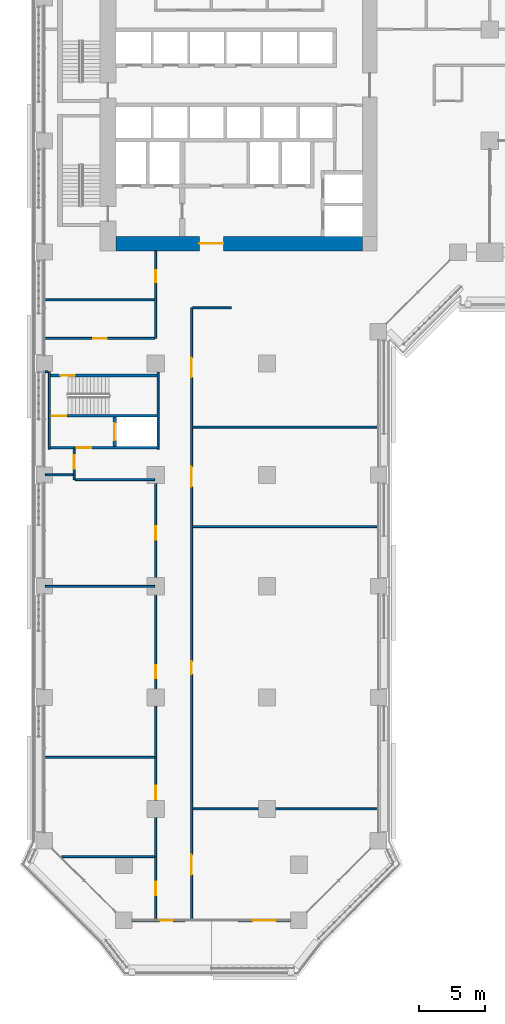
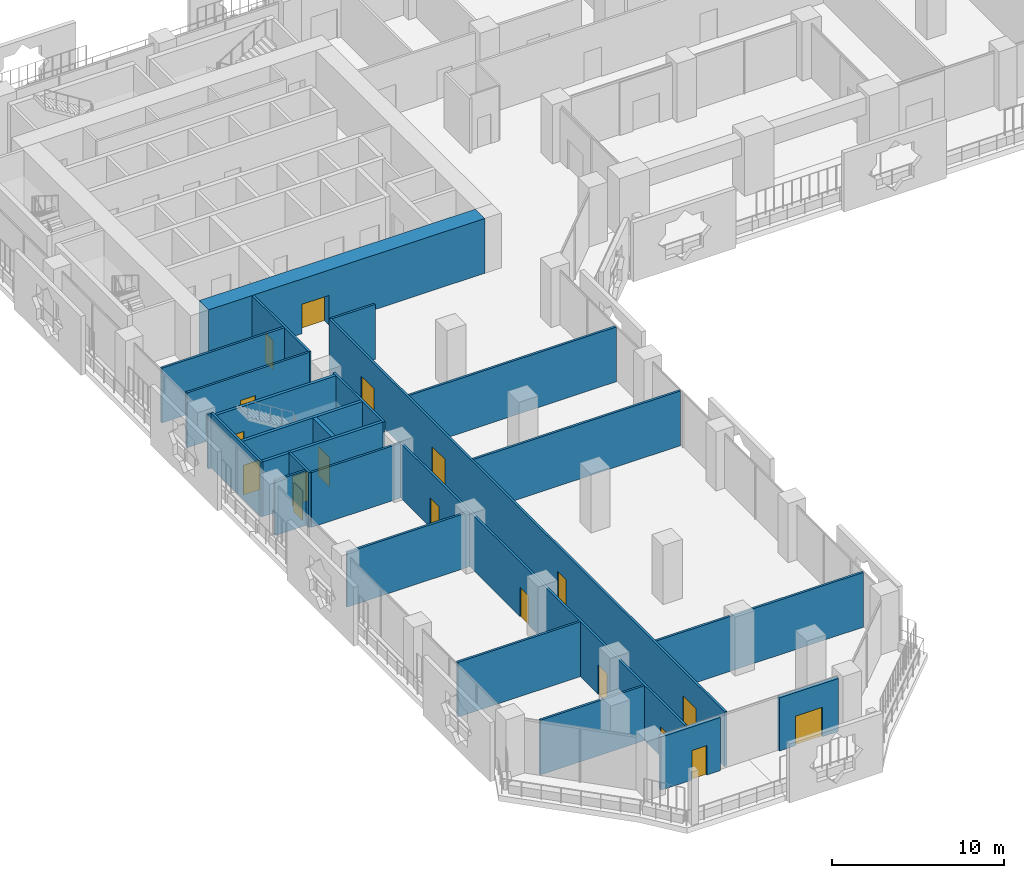
# One storey, part 13 of 27: 25 walls, 18 doors, 18 openings.
"""IFC4 building model written with IfcOpenShell, lengths in metres."""

from ifc_helpers import new_model, si_unit, direction, frame, frame_2d, origin, place, context, subcontext, project, spatial, rectangle, extrude, material, layer, layer_set, type_object, element, fill, save


model = new_model("IFC4")

# Units and contexts
model_context = context("Model", 3, precision=1e-05, world=origin(), true_north=direction((0.0, 1.0)))
body_context = subcontext(model_context, "Body", "Model", "MODEL_VIEW")
ifc_project = project(units=[si_unit("LENGTHUNIT", "METRE"), si_unit("AREAUNIT", "SQUARE_METRE"), si_unit("VOLUMEUNIT", "CUBIC_METRE"), si_unit("PLANEANGLEUNIT", "RADIAN"), si_unit("MASSUNIT", "GRAM", prefix="KILO")], contexts=[model_context])

# Site, building, storey
site_placement = place(None, origin())
site = spatial("IfcSite", under=ifc_project, at=site_placement, CompositionType="ELEMENT")
building_placement = place(site_placement, origin())
building = spatial("IfcBuilding", under=site, at=building_placement, Name="Kawkab Arch Medical Tower", CompositionType="ELEMENT")
storey_placement = place(building_placement, frame((0.0, 0.0, 39.199951171875)))
storey = spatial("IfcBuildingStorey", under=building, at=storey_placement, Name="L08", CompositionType="ELEMENT", Elevation=39.199951171875)

# Wall, opening, door
ifc_material_1 = material(Name="Concrete C60/75", Category="concrete")
ifc_layer_1 = layer(ifc_material_1, 1.10009765625)
ifc_layer_set_1 = layer_set([ifc_layer_1], Name="Concrete C60/75")
wall_type_1 = type_object("IfcWallType", Name="Core ring wall 1100 C60/75", PredefinedType="SHEAR", material=ifc_layer_set_1)
wall_1_placement = place(storey_placement, frame((5.39990234375, -24.550048828125, 0.0), z_axis=(0.0, 0.0, 1.0), x_axis=(1.0, 0.0, 0.0)))
wall_1 = element("IfcWall", 1, at=wall_1_placement, inside=storey, type_object=wall_type_1, Name="L08 core wall", PredefinedType="SHEAR", context=body_context, shape_type="SweptSolid", body=[
    extrude(rectangle(XDim=18.60009765625, YDim=1.10009765625, at=frame_2d((9.300048828125, 0.0))), origin(), (0.0, 0.0, 1.0), 3.900146484375),
])
opening_1_placement = place(wall_1_placement, frame((6.300048828125, 0.0, 0.0)))
opening_1 = element("IfcOpeningElement", 2, at=opening_1_placement, cuts=wall_1, Name="Opening PD", PredefinedType="OPENING", context=body_context, shape_type="SweptSolid", body=[
    extrude(rectangle(XDim=1.800048828125, YDim=2.10009765625, at=frame_2d((0.89990234375, 1.050048828125))), frame((0.0, 0.56005859375, 0.0), z_axis=(0.0, -1.0, 0.0), x_axis=(1.0, 0.0, 0.0)), (0.0, 0.0, 1.0), 1.1201171875),
])
ifc_material_2 = material(Name="Hollow metal fire door leaf")
door_type_1 = type_object("IfcDoorType", Name="Core entrance doors 1800", OperationType="DOUBLE_DOOR_SINGLE_SWING", PredefinedType="DOOR", material=ifc_material_2)
door_1_placement = place(opening_1_placement, origin())
door_1 = element("IfcDoor", 3, at=door_1_placement, inside=storey, type_object=door_type_1, Name="L08 South entrance doors", OperationType="DOUBLE_DOOR_SINGLE_SWING", OverallHeight=2.10009765625, OverallWidth=1.800048828125, PredefinedType="DOOR", context=body_context, shape_type="SweptSolid", body=[
    extrude(rectangle(XDim=1.800048828125, YDim=2.10009765625, at=frame_2d((0.89990234375, 1.050048828125))), frame((0.0, 0.02490234375, 0.0), z_axis=(0.0, -1.0, 0.0), x_axis=(1.0, 0.0, 0.0)), (0.0, 0.0, 1.0), 0.050048828125),
])
fill(opening_1, door_1)

ifc_material_3 = material(Name="Concrete C60/75", Category="concrete")
ifc_layer_2 = layer(ifc_material_3, 0.25)
ifc_layer_set_2 = layer_set([ifc_layer_2], Name="Concrete C60/75")
wall_type_2 = type_object("IfcWallType", Name="Core shear wall 250 C60/75", PredefinedType="SHEAR", material=ifc_layer_set_2)
wall_2_placement = place(storey_placement, frame((5.300048828125, -39.85009765625, 0.0), z_axis=(0.0, 0.0, 1.0), x_axis=(0.0, 1.0, 0.0)))
wall_2 = element("IfcWall", 4, at=wall_2_placement, inside=storey, type_object=wall_type_2, Name="L08 core shear wall", PredefinedType="SHEAR", context=body_context, shape_type="SweptSolid", body=[
    extrude(rectangle(XDim=2.2001953125, YDim=0.25, at=frame_2d((1.10009765625, 0.0))), origin(), (0.0, 0.0, 1.0), 3.900146484375),
])
opening_2_placement = place(wall_2_placement, frame((0.449951171875, 0.0, 0.0)))
opening_2 = element("IfcOpeningElement", 5, at=opening_2_placement, cuts=wall_2, Name="Opening LD2", PredefinedType="OPENING", context=body_context, shape_type="SweptSolid", body=[
    extrude(rectangle(XDim=1.300048828125, YDim=2.10009765625, at=frame_2d((0.64990234375, 1.050048828125))), frame((0.0, 0.135009765625, 0.0), z_axis=(0.0, -1.0, 0.0), x_axis=(1.0, 0.0, 0.0)), (0.0, 0.0, 1.0), 0.27001953125),
])
ifc_material_4 = material(Name="Stainless steel lift door leaf", Category="steel")
door_type_2 = type_object("IfcDoorType", Name="Lift landing door 1300", OperationType="DOUBLE_DOOR_SLIDING", PredefinedType="DOOR", material=ifc_material_4)
door_2_placement = place(opening_2_placement, origin())
door_2 = element("IfcDoor", 6, at=door_2_placement, inside=storey, type_object=door_type_2, Name="L08 Lift landing door SV2", OperationType="DOUBLE_DOOR_SLIDING", OverallHeight=2.10009765625, OverallWidth=1.300048828125, PredefinedType="DOOR", context=body_context, shape_type="SweptSolid", body=[
    extrude(rectangle(XDim=1.300048828125, YDim=2.10009765625, at=frame_2d((0.64990234375, 1.050048828125))), frame((0.0, 0.02490234375, 0.0), z_axis=(0.0, -1.0, 0.0), x_axis=(1.0, 0.0, 0.0)), (0.0, 0.0, 1.0), 0.050048828125),
])
fill(opening_2, door_2)

ifc_material_5 = material(Name="Bronze clad insulated wall panel")
ifc_layer_3 = layer(ifc_material_5, 0.25)
ifc_layer_set_3 = layer_set([ifc_layer_3], Name="Bronze clad insulated wall panel")
wall_type_3 = type_object("IfcWallType", Name="External wall bay 250", PredefinedType="SOLIDWALL", material=ifc_layer_set_3)
wall_3_placement = place(storey_placement, frame((6.625, -75.60009765625, 0.0), z_axis=(0.0, 0.0, 1.0), x_axis=(1.0, 0.0, 0.0)))
wall_3 = element("IfcWall", 7, at=wall_3_placement, inside=storey, type_object=wall_type_3, Name="External wall bay L08.R13.1.1", PredefinedType="SOLIDWALL", context=body_context, shape_type="SweptSolid", body=[
    extrude(rectangle(XDim=3.9833984375, YDim=0.25, at=frame_2d((1.99169921875, 0.0))), origin(), (0.0, 0.0, 1.0), 3.780029296875),
])
opening_3_placement = place(wall_3_placement, frame((2.091796875, 0.0, 0.0)))
opening_3 = element("IfcOpeningElement", 8, at=opening_3_placement, cuts=wall_3, Name="Opening B08-702", PredefinedType="OPENING", context=body_context, shape_type="SweptSolid", body=[
    extrude(rectangle(XDim=1.0, YDim=2.10009765625, at=frame_2d((0.5, 1.050048828125))), frame((0.0, 0.135009765625, 0.0), z_axis=(0.0, -1.0, 0.0), x_axis=(1.0, 0.0, 0.0)), (0.0, 0.0, 1.0), 0.27001953125),
])
ifc_material_6 = material(Name="Bronze anodised aluminium door with tinted glass", Category="aluminium")
door_type_3 = type_object("IfcDoorType", Name="Single external door 1000 x 2100", OperationType="SINGLE_SWING_LEFT", PredefinedType="DOOR", material=ifc_material_6)
door_3_placement = place(opening_3_placement, origin())
door_3 = element("IfcDoor", 9, at=door_3_placement, inside=storey, type_object=door_type_3, Name="External door L08.R13.1.1", OperationType="SINGLE_SWING_LEFT", OverallHeight=2.10009765625, OverallWidth=1.0, PredefinedType="DOOR", context=body_context, shape_type="SweptSolid", body=[
    extrude(rectangle(XDim=1.0, YDim=2.10009765625, at=frame_2d((0.5, 1.050048828125))), frame((0.0, 0.02490234375, 0.0), z_axis=(0.0, -1.0, 0.0), x_axis=(1.0, 0.0, 0.0)), (0.0, 0.0, 1.0), 0.050048828125),
])
fill(opening_3, door_3)

wall_4_placement = place(storey_placement, frame((14.591552734375, -75.60009765625, 0.0), z_axis=(0.0, 0.0, 1.0), x_axis=(1.0, 0.0, 0.0)))
wall_4 = element("IfcWall", 10, at=wall_4_placement, inside=storey, type_object=wall_type_3, Name="External wall bay L08.R13.1.3", PredefinedType="SOLIDWALL", context=body_context, shape_type="SweptSolid", body=[
    extrude(rectangle(XDim=3.9833984375, YDim=0.25, at=frame_2d((1.99169921875, 0.0))), origin(), (0.0, 0.0, 1.0), 3.780029296875),
])
opening_4_placement = place(wall_4_placement, frame((1.091796875, 0.0, 0.0)))
opening_4 = element("IfcOpeningElement", 11, at=opening_4_placement, cuts=wall_4, Name="Opening B08-701", PredefinedType="OPENING", context=body_context, shape_type="SweptSolid", body=[
    extrude(rectangle(XDim=1.800048828125, YDim=2.10009765625, at=frame_2d((0.89990234375, 1.050048828125))), frame((0.0, 0.135009765625, 0.0), z_axis=(0.0, -1.0, 0.0), x_axis=(1.0, 0.0, 0.0)), (0.0, 0.0, 1.0), 0.27001953125),
])
ifc_material_7 = material(Name="Bronze anodised aluminium door with tinted glass", Category="aluminium")
door_type_4 = type_object("IfcDoorType", Name="Double external door 1800 x 2100", OperationType="DOUBLE_DOOR_SINGLE_SWING", PredefinedType="DOOR", material=ifc_material_7)
door_4_placement = place(opening_4_placement, origin())
door_4 = element("IfcDoor", 12, at=door_4_placement, inside=storey, type_object=door_type_4, Name="External door L08.R13.1.3", OperationType="DOUBLE_DOOR_SINGLE_SWING", OverallHeight=2.10009765625, OverallWidth=1.800048828125, PredefinedType="DOOR", context=body_context, shape_type="SweptSolid", body=[
    extrude(rectangle(XDim=1.800048828125, YDim=2.10009765625, at=frame_2d((0.89990234375, 1.050048828125))), frame((0.0, 0.02490234375, 0.0), z_axis=(0.0, -1.0, 0.0), x_axis=(1.0, 0.0, 0.0)), (0.0, 0.0, 1.0), 0.050048828125),
])
fill(opening_4, door_4)

# Walls
ifc_material_8 = material(Name="Gypsum board partition on steel studs, mineral wool", Category="steel")
ifc_layer_4 = layer(ifc_material_8, 0.14990234375)
ifc_layer_set_4 = layer_set([ifc_layer_4], Name="Gypsum board partition on steel studs, mineral wool")
wall_type_4 = type_object("IfcWallType", Name="Partition 150", PredefinedType="PARTITIONING", material=ifc_layer_set_4)
wall_5_placement = place(storey_placement, frame((1.31298828125, -70.800048828125, 0.0), z_axis=(0.0, 0.0, 1.0), x_axis=(1.0, 0.0, 0.0)))
element("IfcWall", 13, at=wall_5_placement, inside=storey, type_object=wall_type_4, Name="Partition 150 w003", PredefinedType="PARTITIONING", context=body_context, shape_type="SweptSolid", body=[
    extrude(rectangle(XDim=7.011962890625, YDim=0.14990234375, at=frame_2d((3.505859375, 0.0))), origin(), (0.0, 0.0, 1.0), 3.900146484375),
])
wall_6_placement = place(storey_placement, frame((11.175048828125, -67.199951171875, 0.0), z_axis=(0.0, 0.0, 1.0), x_axis=(1.0, 0.0, 0.0)))
element("IfcWall", 14, at=wall_6_placement, inside=storey, type_object=wall_type_4, Name="Partition 150 w004", PredefinedType="PARTITIONING", context=body_context, shape_type="SweptSolid", body=[
    extrude(rectangle(XDim=13.945068359375, YDim=0.14990234375, at=frame_2d((6.97265625, 0.0))), origin(), (0.0, 0.0, 1.0), 3.900146484375),
])
for number, where, z_axis, x_axis, name in (
    (15, (0.080078125, -63.300048828125, 0.0), (0.0, 0.0, 1.0), (1.0, 0.0, 0.0), "Partition 150 w005"),
    (16, (0.080078125, -50.39990234375, 0.0), (0.0, 0.0, 1.0), (1.0, 0.0, 0.0), "Partition 150 w006"),
):
    element("IfcWall", number, at=place(storey_placement, frame(where, z_axis=z_axis, x_axis=x_axis)), inside=storey, type_object=wall_type_4, Name=name, PredefinedType="PARTITIONING", context=body_context, shape_type="SweptSolid", body=[
        extrude(rectangle(XDim=8.244873046875, YDim=0.14990234375, at=frame_2d((4.12255859375, 0.0))), origin(), (0.0, 0.0, 1.0), 3.900146484375),
    ])
wall_7_placement = place(storey_placement, frame((11.175048828125, -45.89990234375, 0.0), z_axis=(0.0, 0.0, 1.0), x_axis=(1.0, 0.0, 0.0)))
element("IfcWall", 17, at=wall_7_placement, inside=storey, type_object=wall_type_4, Name="Partition 150 w007", PredefinedType="PARTITIONING", context=body_context, shape_type="SweptSolid", body=[
    extrude(rectangle(XDim=13.945068359375, YDim=0.14990234375, at=frame_2d((6.97265625, 0.0))), origin(), (0.0, 0.0, 1.0), 3.900146484375),
])
wall_8_placement = place(storey_placement, frame((2.324951171875, -42.35009765625, 0.0), z_axis=(0.0, 0.0, 1.0), x_axis=(1.0, 0.0, 0.0)))
element("IfcWall", 18, at=wall_8_placement, inside=storey, type_object=wall_type_4, Name="Partition 150 w008", PredefinedType="PARTITIONING", context=body_context, shape_type="SweptSolid", body=[
    extrude(rectangle(XDim=6.0, YDim=0.14990234375, at=frame_2d((3.0, 0.0))), origin(), (0.0, 0.0, 1.0), 3.900146484375),
])
wall_9_placement = place(storey_placement, frame((0.080078125, -42.0, 0.0), z_axis=(0.0, 0.0, 1.0), x_axis=(1.0, 0.0, 0.0)))
element("IfcWall", 19, at=wall_9_placement, inside=storey, type_object=wall_type_4, Name="Partition 150 w009", PredefinedType="PARTITIONING", context=body_context, shape_type="SweptSolid", body=[
    extrude(rectangle(XDim=2.094970703125, YDim=0.14990234375, at=frame_2d((1.04736328125, 0.0))), origin(), (0.0, 0.0, 1.0), 3.900146484375),
])
wall_10_placement = place(storey_placement, frame((11.175048828125, -38.39990234375, 0.0), z_axis=(0.0, 0.0, 1.0), x_axis=(1.0, 0.0, 0.0)))
element("IfcWall", 20, at=wall_10_placement, inside=storey, type_object=wall_type_4, Name="Partition 150 w010", PredefinedType="PARTITIONING", context=body_context, shape_type="SweptSolid", body=[
    extrude(rectangle(XDim=13.945068359375, YDim=0.14990234375, at=frame_2d((6.97265625, 0.0))), origin(), (0.0, 0.0, 1.0), 3.900146484375),
])
wall_11_placement = place(storey_placement, frame((0.080078125, -34.199951171875, 0.0), z_axis=(0.0, 0.0, 1.0), x_axis=(1.0, 0.0, 0.0)))
element("IfcWall", 21, at=wall_11_placement, inside=storey, type_object=wall_type_4, Name="Partition 150 w011", PredefinedType="PARTITIONING", context=body_context, shape_type="SweptSolid", body=[
    extrude(rectangle(XDim=0.18994140625, YDim=0.14990234375, at=frame_2d((0.094970703125, 0.0))), origin(), (0.0, 0.0, 1.0), 3.900146484375),
])

# Wall, opening, door
wall_12_placement = place(storey_placement, frame((0.080078125, -31.70703125, 0.0), z_axis=(0.0, 0.0, 1.0), x_axis=(1.0, 0.0, 0.0)))
wall_12 = element("IfcWall", 22, at=wall_12_placement, inside=storey, type_object=wall_type_4, Name="Partition 150 w012", PredefinedType="PARTITIONING", context=body_context, shape_type="SweptSolid", body=[
    extrude(rectangle(XDim=8.244873046875, YDim=0.14990234375, at=frame_2d((4.12255859375, 0.0))), origin(), (0.0, 0.0, 1.0), 3.900146484375),
])
opening_5_placement = place(wall_12_placement, frame((3.6201171875, 0.0, 0.0)))
opening_5 = element("IfcOpeningElement", 23, at=opening_5_placement, cuts=wall_12, Name="Opening B08-013", PredefinedType="OPENING", context=body_context, shape_type="SweptSolid", body=[
    extrude(rectangle(XDim=1.0, YDim=2.10009765625, at=frame_2d((0.5, 1.050048828125))), frame((0.0, 0.0849609375, 0.0), z_axis=(0.0, -1.0, 0.0), x_axis=(1.0, 0.0, 0.0)), (0.0, 0.0, 1.0), 0.169921875),
])
ifc_material_9 = material(Name="Hollow metal door leaf")
door_type_5 = type_object("IfcDoorType", Name="Single door 1000x2100 FD30S", OperationType="NOTDEFINED", PredefinedType="DOOR", material=ifc_material_9)
door_5_placement = place(opening_5_placement, origin())
door_5 = element("IfcDoor", 24, at=door_5_placement, inside=storey, type_object=door_type_5, Name="Door B08-013", OperationType="SINGLE_SWING_RIGHT", OverallHeight=2.10009765625, OverallWidth=1.0, PredefinedType="DOOR", context=body_context, shape_type="SweptSolid", body=[
    extrude(rectangle(XDim=1.0, YDim=2.10009765625, at=frame_2d((0.5, 1.050048828125))), frame((0.0, 0.02490234375, 0.0), z_axis=(0.0, -1.0, 0.0), x_axis=(1.0, 0.0, 0.0)), (0.0, 0.0, 1.0), 0.050048828125),
])
fill(opening_5, door_5)

# Walls
wall_13_placement = place(storey_placement, frame((11.175048828125, -29.39990234375, 0.0), z_axis=(0.0, 0.0, 1.0), x_axis=(1.0, 0.0, 0.0)))
element("IfcWall", 25, at=wall_13_placement, inside=storey, type_object=wall_type_4, Name="Partition 150 w013", PredefinedType="PARTITIONING", context=body_context, shape_type="SweptSolid", body=[
    extrude(rectangle(XDim=2.925048828125, YDim=0.14990234375, at=frame_2d((1.46240234375, 0.0))), origin(), (0.0, 0.0, 1.0), 3.900146484375),
])
wall_14_placement = place(storey_placement, frame((0.080078125, -28.800048828125, 0.0), z_axis=(0.0, 0.0, 1.0), x_axis=(1.0, 0.0, 0.0)))
element("IfcWall", 26, at=wall_14_placement, inside=storey, type_object=wall_type_4, Name="Partition 150 w014", PredefinedType="PARTITIONING", context=body_context, shape_type="SweptSolid", body=[
    extrude(rectangle(XDim=8.244873046875, YDim=0.14990234375, at=frame_2d((4.12255859375, 0.0))), origin(), (0.0, 0.0, 1.0), 3.900146484375),
])

# Wall, opening, door
wall_15_placement = place(storey_placement, frame((2.25, -42.35009765625, 0.0), z_axis=(0.0, 0.0, 1.0), x_axis=(0.0, 1.0, 0.0)))
wall_15 = element("IfcWall", 27, at=wall_15_placement, inside=storey, type_object=wall_type_4, Name="Partition 150 w020", PredefinedType="PARTITIONING", context=body_context, shape_type="SweptSolid", body=[
    extrude(rectangle(XDim=2.35009765625, YDim=0.14990234375, at=frame_2d((1.175048828125, 0.0))), origin(), (0.0, 0.0, 1.0), 3.900146484375),
])
opening_6_placement = place(wall_15_placement, frame((0.824951171875, 0.0, 0.0)))
opening_6 = element("IfcOpeningElement", 28, at=opening_6_placement, cuts=wall_15, Name="Opening B08-014", PredefinedType="OPENING", context=body_context, shape_type="SweptSolid", body=[
    extrude(rectangle(XDim=1.0, YDim=2.10009765625, at=frame_2d((0.5, 1.050048828125))), frame((0.0, 0.0849609375, 0.0), z_axis=(0.0, -1.0, 0.0), x_axis=(1.0, 0.0, 0.0)), (0.0, 0.0, 1.0), 0.169921875),
])
door_6_placement = place(opening_6_placement, origin())
door_6 = element("IfcDoor", 29, at=door_6_placement, inside=storey, type_object=door_type_5, Name="Door B08-014", OperationType="SINGLE_SWING_LEFT", OverallHeight=2.10009765625, OverallWidth=1.0, PredefinedType="DOOR", context=body_context, shape_type="SweptSolid", body=[
    extrude(rectangle(XDim=1.0, YDim=2.10009765625, at=frame_2d((0.5, 1.050048828125))), frame((0.0, 0.02490234375, 0.0), z_axis=(0.0, -1.0, 0.0), x_axis=(1.0, 0.0, 0.0)), (0.0, 0.0, 1.0), 0.050048828125),
])
fill(opening_6, door_6)

# Wall, openings, doors
wall_16_placement = place(storey_placement, frame((8.39990234375, -75.52001953125, 0.0), z_axis=(0.0, 0.0, 1.0), x_axis=(0.0, 1.0, 0.0)))
wall_16 = element("IfcWall", 30, at=wall_16_placement, inside=storey, type_object=wall_type_4, Name="Partition 150 w021", PredefinedType="PARTITIONING", context=body_context, shape_type="SweptSolid", body=[
    extrude(rectangle(XDim=33.169921875, YDim=0.14990234375, at=frame_2d((16.5849609375, 0.0))), origin(), (0.0, 0.0, 1.0), 3.900146484375),
])
opening_7_placement = place(wall_16_placement, frame((28.64501953125, 0.0, 0.0)))
opening_7 = element("IfcOpeningElement", 31, at=opening_7_placement, cuts=wall_16, Name="Opening B08-015", PredefinedType="OPENING", context=body_context, shape_type="SweptSolid", body=[
    extrude(rectangle(XDim=1.0, YDim=2.10009765625, at=frame_2d((0.5, 1.050048828125))), frame((0.0, 0.0849609375, 0.0), z_axis=(0.0, -1.0, 0.0), x_axis=(1.0, 0.0, 0.0)), (0.0, 0.0, 1.0), 0.169921875),
])
opening_8_placement = place(wall_16_placement, frame((18.169921875, 0.0, 0.0)))
opening_8 = element("IfcOpeningElement", 32, at=opening_8_placement, cuts=wall_16, Name="Opening B08-016", PredefinedType="OPENING", context=body_context, shape_type="SweptSolid", body=[
    extrude(rectangle(XDim=1.0, YDim=2.10009765625, at=frame_2d((0.5, 1.050048828125))), frame((0.0, 0.0849609375, 0.0), z_axis=(0.0, -1.0, 0.0), x_axis=(1.0, 0.0, 0.0)), (0.0, 0.0, 1.0), 0.169921875),
])
opening_9_placement = place(wall_16_placement, frame((9.070068359375, 0.0, 0.0)))
opening_9 = element("IfcOpeningElement", 33, at=opening_9_placement, cuts=wall_16, Name="Opening B08-017", PredefinedType="OPENING", context=body_context, shape_type="SweptSolid", body=[
    extrude(rectangle(XDim=1.0, YDim=2.10009765625, at=frame_2d((0.5, 1.050048828125))), frame((0.0, 0.0849609375, 0.0), z_axis=(0.0, -1.0, 0.0), x_axis=(1.0, 0.0, 0.0)), (0.0, 0.0, 1.0), 0.169921875),
])
opening_10_placement = place(wall_16_placement, frame((1.820068359375, 0.0, 0.0)))
opening_10 = element("IfcOpeningElement", 34, at=opening_10_placement, cuts=wall_16, Name="Opening B08-018", PredefinedType="OPENING", context=body_context, shape_type="SweptSolid", body=[
    extrude(rectangle(XDim=1.0, YDim=2.10009765625, at=frame_2d((0.5, 1.050048828125))), frame((0.0, 0.0849609375, 0.0), z_axis=(0.0, -1.0, 0.0), x_axis=(1.0, 0.0, 0.0)), (0.0, 0.0, 1.0), 0.169921875),
])
door_7_placement = place(opening_7_placement, origin())
door_7 = element("IfcDoor", 35, at=door_7_placement, inside=storey, type_object=door_type_5, Name="Door B08-015", OperationType="SINGLE_SWING_RIGHT", OverallHeight=2.10009765625, OverallWidth=1.0, PredefinedType="DOOR", context=body_context, shape_type="SweptSolid", body=[
    extrude(rectangle(XDim=1.0, YDim=2.10009765625, at=frame_2d((0.5, 1.050048828125))), frame((0.0, 0.02490234375, 0.0), z_axis=(0.0, -1.0, 0.0), x_axis=(1.0, 0.0, 0.0)), (0.0, 0.0, 1.0), 0.050048828125),
])
fill(opening_7, door_7)
door_8_placement = place(opening_8_placement, origin())
door_8 = element("IfcDoor", 36, at=door_8_placement, inside=storey, type_object=door_type_5, Name="Door B08-016", OperationType="SINGLE_SWING_RIGHT", OverallHeight=2.10009765625, OverallWidth=1.0, PredefinedType="DOOR", context=body_context, shape_type="SweptSolid", body=[
    extrude(rectangle(XDim=1.0, YDim=2.10009765625, at=frame_2d((0.5, 1.050048828125))), frame((0.0, 0.02490234375, 0.0), z_axis=(0.0, -1.0, 0.0), x_axis=(1.0, 0.0, 0.0)), (0.0, 0.0, 1.0), 0.050048828125),
])
fill(opening_8, door_8)
door_9_placement = place(opening_9_placement, origin())
door_9 = element("IfcDoor", 37, at=door_9_placement, inside=storey, type_object=door_type_5, Name="Door B08-017", OperationType="SINGLE_SWING_LEFT", OverallHeight=2.10009765625, OverallWidth=1.0, PredefinedType="DOOR", context=body_context, shape_type="SweptSolid", body=[
    extrude(rectangle(XDim=1.0, YDim=2.10009765625, at=frame_2d((0.5, 1.050048828125))), frame((0.0, 0.02490234375, 0.0), z_axis=(0.0, -1.0, 0.0), x_axis=(1.0, 0.0, 0.0)), (0.0, 0.0, 1.0), 0.050048828125),
])
fill(opening_9, door_9)
door_10_placement = place(opening_10_placement, origin())
door_10 = element("IfcDoor", 38, at=door_10_placement, inside=storey, type_object=door_type_5, Name="Door B08-018", OperationType="SINGLE_SWING_LEFT", OverallHeight=2.10009765625, OverallWidth=1.0, PredefinedType="DOOR", context=body_context, shape_type="SweptSolid", body=[
    extrude(rectangle(XDim=1.0, YDim=2.10009765625, at=frame_2d((0.5, 1.050048828125))), frame((0.0, 0.02490234375, 0.0), z_axis=(0.0, -1.0, 0.0), x_axis=(1.0, 0.0, 0.0)), (0.0, 0.0, 1.0), 0.050048828125),
])
fill(opening_10, door_10)

# Wall, opening, door
wall_17_placement = place(storey_placement, frame((8.39990234375, -31.70703125, 0.0), z_axis=(0.0, 0.0, 1.0), x_axis=(0.0, 1.0, 0.0)))
wall_17 = element("IfcWall", 39, at=wall_17_placement, inside=storey, type_object=wall_type_4, Name="Partition 150 w022", PredefinedType="PARTITIONING", context=body_context, shape_type="SweptSolid", body=[
    extrude(rectangle(XDim=6.60693359375, YDim=0.14990234375, at=frame_2d((3.303466796875, 0.0))), origin(), (0.0, 0.0, 1.0), 3.900146484375),
])
opening_11_placement = place(wall_17_placement, frame((4.257080078125, 0.0, 0.0)))
opening_11 = element("IfcOpeningElement", 40, at=opening_11_placement, cuts=wall_17, Name="Opening B08-010", PredefinedType="OPENING", context=body_context, shape_type="SweptSolid", body=[
    extrude(rectangle(XDim=0.89990234375, YDim=2.10009765625, at=frame_2d((0.449951171875, 1.050048828125))), frame((0.0, 0.0849609375, 0.0), z_axis=(0.0, -1.0, 0.0), x_axis=(1.0, 0.0, 0.0)), (0.0, 0.0, 1.0), 0.169921875),
])
ifc_material_10 = material(Name="Timber door leaf", Category="wood")
door_type_6 = type_object("IfcDoorType", Name="Single door 900x2100", OperationType="NOTDEFINED", PredefinedType="DOOR", material=ifc_material_10)
door_11_placement = place(opening_11_placement, origin())
door_11 = element("IfcDoor", 41, at=door_11_placement, inside=storey, type_object=door_type_6, Name="Door B08-010", OperationType="SINGLE_SWING_RIGHT", OverallHeight=2.10009765625, OverallWidth=0.89990234375, PredefinedType="DOOR", context=body_context, shape_type="SweptSolid", body=[
    extrude(rectangle(XDim=0.89990234375, YDim=2.10009765625, at=frame_2d((0.449951171875, 1.050048828125))), frame((0.0, 0.02490234375, 0.0), z_axis=(0.0, -1.0, 0.0), x_axis=(1.0, 0.0, 0.0)), (0.0, 0.0, 1.0), 0.050048828125),
])
fill(opening_11, door_11)

# Wall, openings, doors
wall_18_placement = place(storey_placement, frame((11.10009765625, -75.52001953125, 0.0), z_axis=(0.0, 0.0, 1.0), x_axis=(0.0, 1.0, 0.0)))
wall_18 = element("IfcWall", 42, at=wall_18_placement, inside=storey, type_object=wall_type_4, Name="Partition 150 w023", PredefinedType="PARTITIONING", context=body_context, shape_type="SweptSolid", body=[
    extrude(rectangle(XDim=46.1201171875, YDim=0.14990234375, at=frame_2d((23.06005859375, 0.0))), origin(), (0.0, 0.0, 1.0), 3.900146484375),
])
opening_12_placement = place(wall_18_placement, frame((40.8701171875, 0.0, 0.0)))
opening_12 = element("IfcOpeningElement", 43, at=opening_12_placement, cuts=wall_18, Name="Opening B08-006", PredefinedType="OPENING", context=body_context, shape_type="SweptSolid", body=[
    extrude(rectangle(XDim=1.5, YDim=2.10009765625, at=frame_2d((0.75, 1.050048828125))), frame((0.0, 0.0849609375, 0.0), z_axis=(0.0, -1.0, 0.0), x_axis=(1.0, 0.0, 0.0)), (0.0, 0.0, 1.0), 0.169921875),
])
opening_13_placement = place(wall_18_placement, frame((32.6201171875, 0.0, 0.0)))
opening_13 = element("IfcOpeningElement", 44, at=opening_13_placement, cuts=wall_18, Name="Opening B08-007", PredefinedType="OPENING", context=body_context, shape_type="SweptSolid", body=[
    extrude(rectangle(XDim=1.5, YDim=2.10009765625, at=frame_2d((0.75, 1.050048828125))), frame((0.0, 0.0849609375, 0.0), z_axis=(0.0, -1.0, 0.0), x_axis=(1.0, 0.0, 0.0)), (0.0, 0.0, 1.0), 0.169921875),
])
opening_14_placement = place(wall_18_placement, frame((18.469970703125, 0.0, 0.0)))
opening_14 = element("IfcOpeningElement", 45, at=opening_14_placement, cuts=wall_18, Name="Opening B08-019", PredefinedType="OPENING", context=body_context, shape_type="SweptSolid", body=[
    extrude(rectangle(XDim=1.0, YDim=2.10009765625, at=frame_2d((0.5, 1.050048828125))), frame((0.0, 0.0849609375, 0.0), z_axis=(0.0, -1.0, 0.0), x_axis=(1.0, 0.0, 0.0)), (0.0, 0.0, 1.0), 0.169921875),
])
opening_15_placement = place(wall_18_placement, frame((3.3701171875, 0.0, 0.0)))
opening_15 = element("IfcOpeningElement", 46, at=opening_15_placement, cuts=wall_18, Name="Opening B08-008", PredefinedType="OPENING", context=body_context, shape_type="SweptSolid", body=[
    extrude(rectangle(XDim=1.5, YDim=2.10009765625, at=frame_2d((0.75, 1.050048828125))), frame((0.0, 0.0849609375, 0.0), z_axis=(0.0, -1.0, 0.0), x_axis=(1.0, 0.0, 0.0)), (0.0, 0.0, 1.0), 0.169921875),
])
ifc_material_11 = material(Name="Hollow metal door leaf")
door_type_7 = type_object("IfcDoorType", Name="Double door 1500x2100 FD30S", OperationType="NOTDEFINED", PredefinedType="DOOR", material=ifc_material_11)
door_12_placement = place(opening_12_placement, origin())
door_12 = element("IfcDoor", 47, at=door_12_placement, inside=storey, type_object=door_type_7, Name="Door B08-006", OperationType="DOUBLE_DOOR_SINGLE_SWING", OverallHeight=2.10009765625, OverallWidth=1.5, PredefinedType="DOOR", context=body_context, shape_type="SweptSolid", body=[
    extrude(rectangle(XDim=1.5, YDim=2.10009765625, at=frame_2d((0.75, 1.050048828125))), frame((0.0, 0.02490234375, 0.0), z_axis=(0.0, -1.0, 0.0), x_axis=(1.0, 0.0, 0.0)), (0.0, 0.0, 1.0), 0.050048828125),
])
fill(opening_12, door_12)
door_13_placement = place(opening_13_placement, origin())
door_13 = element("IfcDoor", 48, at=door_13_placement, inside=storey, type_object=door_type_7, Name="Door B08-007", OperationType="DOUBLE_DOOR_SINGLE_SWING", OverallHeight=2.10009765625, OverallWidth=1.5, PredefinedType="DOOR", context=body_context, shape_type="SweptSolid", body=[
    extrude(rectangle(XDim=1.5, YDim=2.10009765625, at=frame_2d((0.75, 1.050048828125))), frame((0.0, 0.02490234375, 0.0), z_axis=(0.0, -1.0, 0.0), x_axis=(1.0, 0.0, 0.0)), (0.0, 0.0, 1.0), 0.050048828125),
])
fill(opening_13, door_13)
door_14_placement = place(opening_15_placement, origin())
door_14 = element("IfcDoor", 49, at=door_14_placement, inside=storey, type_object=door_type_7, Name="Door B08-008", OperationType="DOUBLE_DOOR_SINGLE_SWING", OverallHeight=2.10009765625, OverallWidth=1.5, PredefinedType="DOOR", context=body_context, shape_type="SweptSolid", body=[
    extrude(rectangle(XDim=1.5, YDim=2.10009765625, at=frame_2d((0.75, 1.050048828125))), frame((0.0, 0.02490234375, 0.0), z_axis=(0.0, -1.0, 0.0), x_axis=(1.0, 0.0, 0.0)), (0.0, 0.0, 1.0), 0.050048828125),
])
fill(opening_15, door_14)
door_15_placement = place(opening_14_placement, origin())
door_15 = element("IfcDoor", 50, at=door_15_placement, inside=storey, type_object=door_type_5, Name="Door B08-019", OperationType="SINGLE_SWING_RIGHT", OverallHeight=2.10009765625, OverallWidth=1.0, PredefinedType="DOOR", context=body_context, shape_type="SweptSolid", body=[
    extrude(rectangle(XDim=1.0, YDim=2.10009765625, at=frame_2d((0.5, 1.050048828125))), frame((0.0, 0.02490234375, 0.0), z_axis=(0.0, -1.0, 0.0), x_axis=(1.0, 0.0, 0.0)), (0.0, 0.0, 1.0), 0.050048828125),
])
fill(opening_14, door_15)

# Walls
ifc_material_12 = material(Name="Concrete C50/60", Category="concrete")
ifc_layer_5 = layer(ifc_material_12, 0.14990234375)
ifc_layer_set_5 = layer_set([ifc_layer_5], Name="Concrete C50/60")
wall_type_5 = type_object("IfcWallType", Name="Stair enclosure wall 150 C50/60", PredefinedType="SHEAR", material=ifc_layer_set_5)
wall_19_placement = place(storey_placement, frame((0.375, -40.050048828125, 0.0), z_axis=(0.0, 0.0, 1.0), x_axis=(0.0, 1.0, 0.0)))
element("IfcWall", 51, at=wall_19_placement, inside=storey, type_object=wall_type_5, Name="L08 stair enclosure wall", PredefinedType="SHEAR", context=body_context, shape_type="SweptSolid", body=[
    extrude(rectangle(XDim=5.85009765625, YDim=0.14990234375, at=frame_2d((2.925048828125, 0.0))), origin(), (0.0, 0.0, 1.0), 3.900146484375),
])
wall_20_placement = place(storey_placement, frame((8.574951171875, -40.050048828125, 0.0), z_axis=(0.0, 0.0, 1.0), x_axis=(0.0, 1.0, 0.0)))
element("IfcWall", 52, at=wall_20_placement, inside=storey, type_object=wall_type_5, Name="L08 stair enclosure wall", PredefinedType="SHEAR", context=body_context, shape_type="SweptSolid", body=[
    extrude(rectangle(XDim=5.800048828125, YDim=0.14990234375, at=frame_2d((2.89990234375, 0.0))), origin(), (0.0, 0.0, 1.0), 3.900146484375),
])

# Wall, opening, door
ifc_material_13 = material(Name="Concrete C50/60", Category="concrete")
ifc_layer_6 = layer(ifc_material_13, 0.199951171875)
ifc_layer_set_6 = layer_set([ifc_layer_6], Name="Concrete C50/60")
wall_type_6 = type_object("IfcWallType", Name="Stair enclosure wall 200 C50/60", PredefinedType="SHEAR", material=ifc_layer_set_6)
wall_21_placement = place(storey_placement, frame((0.449951171875, -34.5, 0.0), z_axis=(0.0, 0.0, 1.0), x_axis=(1.0, 0.0, 0.0)))
wall_21 = element("IfcWall", 53, at=wall_21_placement, inside=storey, type_object=wall_type_6, Name="L08 stair enclosure wall", PredefinedType="SHEAR", context=body_context, shape_type="SweptSolid", body=[
    extrude(rectangle(XDim=8.050048828125, YDim=0.199951171875, at=frame_2d((4.02490234375, 0.0))), origin(), (0.0, 0.0, 1.0), 3.900146484375),
])
opening_16_placement = place(wall_21_placement, frame((0.75, 0.0, 0.0)))
opening_16 = element("IfcOpeningElement", 54, at=opening_16_placement, cuts=wall_21, Name="Opening SD", PredefinedType="OPENING", context=body_context, shape_type="SweptSolid", body=[
    extrude(rectangle(XDim=1.10009765625, YDim=2.10009765625, at=frame_2d((0.550048828125, 1.050048828125))), frame((0.0, 0.10986328125, 0.0), z_axis=(0.0, -1.0, 0.0), x_axis=(1.0, 0.0, 0.0)), (0.0, 0.0, 1.0), 0.219970703125),
])
ifc_material_14 = material(Name="Hollow metal fire door leaf")
door_type_8 = type_object("IfcDoorType", Name="Exit stair door 1100", OperationType="SINGLE_SWING_LEFT", PredefinedType="DOOR", material=ifc_material_14)
door_16_placement = place(opening_16_placement, origin())
door_16 = element("IfcDoor", 55, at=door_16_placement, inside=storey, type_object=door_type_8, Name="L08 Exit stair ST6 door", OperationType="SINGLE_SWING_LEFT", OverallHeight=2.10009765625, OverallWidth=1.10009765625, PredefinedType="DOOR", context=body_context, shape_type="SweptSolid", body=[
    extrude(rectangle(XDim=1.10009765625, YDim=2.10009765625, at=frame_2d((0.550048828125, 1.050048828125))), frame((0.0, 0.02490234375, 0.0), z_axis=(0.0, -1.0, 0.0), x_axis=(1.0, 0.0, 0.0)), (0.0, 0.0, 1.0), 0.050048828125),
])
fill(opening_16, door_16)

wall_22_placement = place(storey_placement, frame((0.449951171875, -37.550048828125, 0.0), z_axis=(0.0, 0.0, 1.0), x_axis=(1.0, 0.0, 0.0)))
wall_22 = element("IfcWall", 56, at=wall_22_placement, inside=storey, type_object=wall_type_6, Name="L08 stair enclosure wall", PredefinedType="SHEAR", context=body_context, shape_type="SweptSolid", body=[
    extrude(rectangle(XDim=8.050048828125, YDim=0.199951171875, at=frame_2d((4.02490234375, 0.0))), origin(), (0.0, 0.0, 1.0), 3.900146484375),
])
opening_17_placement = place(wall_22_placement, frame((0.10009765625, 0.0, 0.0)))
opening_17 = element("IfcOpeningElement", 57, at=opening_17_placement, cuts=wall_22, Name="Opening SD", PredefinedType="OPENING", context=body_context, shape_type="SweptSolid", body=[
    extrude(rectangle(XDim=1.10009765625, YDim=2.10009765625, at=frame_2d((0.550048828125, 1.050048828125))), frame((0.0, 0.10986328125, 0.0), z_axis=(0.0, -1.0, 0.0), x_axis=(1.0, 0.0, 0.0)), (0.0, 0.0, 1.0), 0.219970703125),
])
door_17_placement = place(opening_17_placement, frame((1.10009765625, 0.0, 0.0), z_axis=(0.0, 0.0, 1.0), x_axis=(-1.0, 0.0, 0.0)))
door_17 = element("IfcDoor", 58, at=door_17_placement, inside=storey, type_object=door_type_8, Name="L08 Exit stair ST6 lobby door", OperationType="SINGLE_SWING_LEFT", OverallHeight=2.10009765625, OverallWidth=1.10009765625, PredefinedType="DOOR", context=body_context, shape_type="SweptSolid", body=[
    extrude(rectangle(XDim=1.10009765625, YDim=2.10009765625, at=frame_2d((0.550048828125, 1.050048828125))), frame((0.0, 0.02490234375, 0.0), z_axis=(0.0, -1.0, 0.0), x_axis=(1.0, 0.0, 0.0)), (0.0, 0.0, 1.0), 0.050048828125),
])
fill(opening_17, door_17)

wall_23_placement = place(storey_placement, frame((0.449951171875, -39.949951171875, 0.0), z_axis=(0.0, 0.0, 1.0), x_axis=(1.0, 0.0, 0.0)))
wall_23 = element("IfcWall", 59, at=wall_23_placement, inside=storey, type_object=wall_type_6, Name="L08 stair enclosure wall", PredefinedType="SHEAR", context=body_context, shape_type="SweptSolid", body=[
    extrude(rectangle(XDim=8.050048828125, YDim=0.199951171875, at=frame_2d((4.02490234375, 0.0))), origin(), (0.0, 0.0, 1.0), 3.900146484375),
])
opening_18_placement = place(wall_23_placement, frame((2.0, 0.0, 0.0)))
opening_18 = element("IfcOpeningElement", 60, at=opening_18_placement, cuts=wall_23, Name="Opening FD", PredefinedType="OPENING", context=body_context, shape_type="SweptSolid", body=[
    extrude(rectangle(XDim=1.10009765625, YDim=2.10009765625, at=frame_2d((0.550048828125, 1.050048828125))), frame((0.0, 0.10986328125, 0.0), z_axis=(0.0, -1.0, 0.0), x_axis=(1.0, 0.0, 0.0)), (0.0, 0.0, 1.0), 0.219970703125),
])
ifc_material_15 = material(Name="Hollow metal fire door leaf")
door_type_9 = type_object("IfcDoorType", Name="Firefighting lobby door 1100", OperationType="SINGLE_SWING_LEFT", PredefinedType="DOOR", material=ifc_material_15)
door_18_placement = place(opening_18_placement, origin())
door_18 = element("IfcDoor", 61, at=door_18_placement, inside=storey, type_object=door_type_9, Name="L08 Service lift lobby door SV2", OperationType="SINGLE_SWING_LEFT", OverallHeight=2.10009765625, OverallWidth=1.10009765625, PredefinedType="DOOR", context=body_context, shape_type="SweptSolid", body=[
    extrude(rectangle(XDim=1.10009765625, YDim=2.10009765625, at=frame_2d((0.550048828125, 1.050048828125))), frame((0.0, 0.02490234375, 0.0), z_axis=(0.0, -1.0, 0.0), x_axis=(1.0, 0.0, 0.0)), (0.0, 0.0, 1.0), 0.050048828125),
])
fill(opening_18, door_18)

save(model, "model.ifc")
